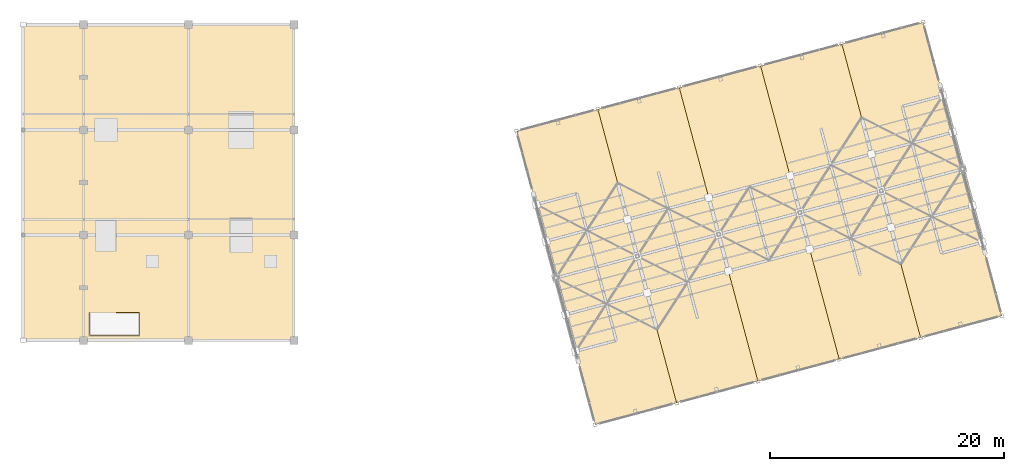
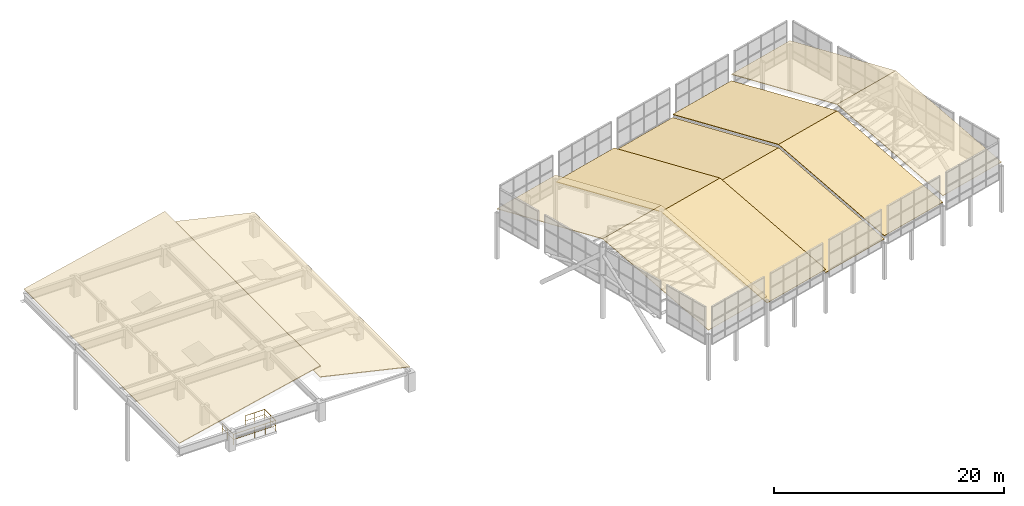
# One storey, part 28 of 28: 12 coverings, 1 railing.
"""IFC4 building model written with IfcOpenShell, lengths in metres."""

from ifc_helpers import new_model, si_unit, direction, frame, origin, origin_2d, place, context, subcontext, project, spatial, polyline, circle, outline, extrude, material, layer, layer_set, type_object, element, save


model = new_model("IFC4")

# Units and contexts
model_context = context("Model", 3, precision=1e-05, world=origin(), true_north=direction((0.0, 1.0)))
body_context = subcontext(model_context, "Body", "Model", "MODEL_VIEW")
ifc_project = project(units=[si_unit("LENGTHUNIT", "METRE"), si_unit("AREAUNIT", "SQUARE_METRE"), si_unit("VOLUMEUNIT", "CUBIC_METRE"), si_unit("PLANEANGLEUNIT", "RADIAN"), si_unit("MASSUNIT", "GRAM", prefix="KILO")], contexts=[model_context])

# Site, building, storey
site_placement = place(None, origin())
site = spatial("IfcSite", under=ifc_project, at=site_placement, CompositionType="ELEMENT")
building_placement = place(site_placement, origin())
building = spatial("IfcBuilding", under=site, at=building_placement, Name="Ventoquebrada Cableway Terminal", CompositionType="ELEMENT")
storey_placement = place(building_placement, frame((0.0, 0.0, 23.39990234375)))
storey = spatial("IfcBuildingStorey", under=building, at=storey_placement, Name="RF", CompositionType="ELEMENT", Elevation=23.39990234375)

# Coverings
ifc_material_1 = material(Name="Standing-seam zinc-titanium roofing")
ifc_layer = layer(ifc_material_1, 0.06005859375)
ifc_layer_set = layer_set([ifc_layer], Name="Standing-seam zinc-titanium roofing")
covering_type = type_object("IfcCoveringType", Name="COV-RF01", PredefinedType="ROOFING", material=ifc_layer_set)
covering_1_placement = place(storey_placement, frame((51.974365234375, 69.7978515625, 1.6318359375), z_axis=(0.062620506761, -0.233651996938, 0.970301714138), x_axis=(0.96591172503, 0.258871665986, 0.0)))
element("IfcCovering", 1, at=covering_1_placement, inside=storey, type_object=covering_type, Name="Standing-seam gridshell roofing RF-GS-01-1", PredefinedType="ROOFING", context=body_context, shape_type="SweptSolid", body=[
    extrude(outline(polyline([(0.0, 0.0), (7.20053183409326, 2.220446049250313e-16), (7.200933192058639, 13.3980786407222), (0.00040135796537963433, 13.3980786407222), (0.0, 0.0)])), origin(), (0.0, 0.0, 1.0), 0.06005859375),
])
covering_2_placement = place(storey_placement, frame((48.61669921875, 82.3271484375, 4.872802734375), z_axis=(-0.062627133853, 0.233656217601, 0.970300270062), x_axis=(0.965911392582, 0.258872906371, 5.150913e-06)))
element("IfcCovering", 2, at=covering_2_placement, inside=storey, type_object=covering_type, Name="Standing-seam gridshell roofing RF-GS-01-2", PredefinedType="ROOFING", context=body_context, shape_type="SweptSolid", body=[
    extrude(outline(polyline([(0.0, 0.0), (7.2005318339918, 0.0), (7.200634172777527, 13.397911149965832), (0.001281429841124957, 13.397604529790756), (0.0, 0.0)])), origin(), (0.0, 0.0, 1.0), 0.06005859375),
])
covering_3_placement = place(storey_placement, frame((58.929443359375, 71.661865234375, 0.940673828125), z_axis=(0.062596620047, -0.233660689562, 0.970301162172), x_axis=(0.965934542987, 0.258786511718, 4.119545e-06)))
element("IfcCovering", 3, at=covering_3_placement, inside=storey, type_object=covering_type, Name="Standing-seam gridshell roofing RF-GS-02-1", PredefinedType="ROOFING", context=body_context, shape_type="SweptSolid", body=[
    extrude(outline(polyline([(0.0, 0.0), (7.199099965533204, 0.0), (7.199311894945746, 13.397833410120429), (-0.0007313660395942995, 13.398078626737274), (0.0, 0.0)])), origin(), (0.0, 0.0, 1.0), 0.06005859375),
])
covering_4_placement = place(storey_placement, frame((55.57177734375, 84.191162109375, 4.181640625), z_axis=(-0.062591847683, 0.233663381059, 0.970300821888), x_axis=(0.965943426508, 0.258753351253, -1.029673e-06)))
element("IfcCovering", 4, at=covering_4_placement, inside=storey, type_object=covering_type, Name="Standing-seam gridshell roofing RF-GS-02-2", PredefinedType="ROOFING", context=body_context, shape_type="SweptSolid", body=[
    extrude(outline(polyline([(0.0, 0.0), (7.200043265221912, -2.220446049250313e-16), (7.198792419605277, 13.397849771825229), (-0.0014866716484983745, 13.3979110679263), (0.0, 0.0)])), origin(), (0.0, 0.0, 1.0), 0.06005859375),
])
covering_5_placement = place(storey_placement, frame((65.88330078125, 73.52490234375, 0.5947265625), z_axis=(0.062621890363, -0.233656057224, 0.970300647104), x_axis=(0.965911707161, 0.258871732658, -2.76869e-07)))
element("IfcCovering", 5, at=covering_5_placement, inside=storey, type_object=covering_type, Name="Standing-seam gridshell roofing RF-GS-03-1", PredefinedType="ROOFING", context=body_context, shape_type="SweptSolid", body=[
    extrude(outline(polyline([(0.0, 0.0), (7.200531834092966, -6.661338147750939e-16), (7.200869990968603, 13.39784982595029), (0.0013446311337677068, 13.39783334435648), (0.0, 0.0)])), origin(), (0.0, 0.0, 1.0), 0.06005859375),
])
covering_6_placement = place(storey_placement, frame((62.526611328125, 86.05419921875, 3.835693359375), z_axis=(-0.062621890363, 0.233656057224, 0.970300647104), x_axis=(0.965911132134, 0.25887387821, -2.76908e-07)))
element("IfcCovering", 6, at=covering_6_placement, inside=storey, type_object=covering_type, Name="Standing-seam gridshell roofing RF-GS-03-2", PredefinedType="ROOFING", context=body_context, shape_type="SweptSolid", body=[
    extrude(outline(polyline([(0.0, 0.0), (7.199525359853701, -4.440892098500626e-16), (7.200900662127032, 13.397833341243159), (0.0003688280529341973, 13.397849825141051), (0.0, 0.0)])), origin(), (0.0, 0.0, 1.0), 0.06005859375),
])
covering_7_placement = place(storey_placement, frame((72.83837890625, 75.388916015625, 0.940673828125), z_axis=(0.062591847683, -0.233663381059, 0.970300821888), x_axis=(0.965945563826, 0.25874537237, -1.029639e-06)))
element("IfcCovering", 7, at=covering_7_placement, inside=storey, type_object=covering_type, Name="Standing-seam gridshell roofing RF-GS-04-1", PredefinedType="ROOFING", context=body_context, shape_type="SweptSolid", body=[
    extrude(outline(polyline([(0.0, 0.0), (7.200279091514681, 0.0), (7.198678363216417, 13.397911054784757), (-0.0013649017445958491, 13.397849760691276), (0.0, 0.0)])), origin(), (0.0, 0.0, 1.0), 0.06005859375),
])
covering_8_placement = place(storey_placement, frame((69.480712890625, 87.91796875, 4.181640625), z_axis=(-0.062596620047, 0.233660689562, 0.970301162172), x_axis=(0.965943094367, 0.258754591125, 4.119006e-06)))
element("IfcCovering", 8, at=covering_8_placement, inside=storey, type_object=covering_type, Name="Standing-seam gridshell roofing RF-GS-04-2", PredefinedType="ROOFING", context=body_context, shape_type="SweptSolid", body=[
    extrude(outline(polyline([(0.0, 0.0), (7.200043265161091, -2.220446049250313e-16), (7.19885559193152, 13.398078594058283), (-0.00024436942647917563, 13.397833409568012), (0.0, 0.0)])), origin(), (0.0, 0.0, 1.0), 0.06005859375),
])
covering_9_placement = place(storey_placement, frame((79.79345703125, 77.251953125, 1.6318359375), z_axis=(0.062627133853, -0.233656217601, 0.970300270062), x_axis=(0.965900693821, 0.25891282249, 5.151756e-06)))
element("IfcCovering", 9, at=covering_9_placement, inside=storey, type_object=covering_type, Name="Standing-seam gridshell roofing RF-GS-05-1", PredefinedType="ROOFING", context=body_context, shape_type="SweptSolid", body=[
    extrude(outline(polyline([(0.0, 0.0), (7.199352749465874, 2.220446049250313e-16), (7.201204782801658, 13.397604463063715), (0.0006729553403977827, 13.397911133455956), (0.0, 0.0)])), origin(), (0.0, 0.0, 1.0), 0.06005859375),
])
covering_10_placement = place(storey_placement, frame((76.435546875, 89.781005859375, 4.872802734375), z_axis=(-0.062620506761, 0.233651996938, 0.970301714138), x_axis=(0.96591172503, 0.258871665986, 0.0)))
element("IfcCovering", 10, at=covering_10_placement, inside=storey, type_object=covering_type, Name="Standing-seam gridshell roofing RF-GS-05-2", PredefinedType="ROOFING", context=body_context, shape_type="SweptSolid", body=[
    extrude(outline(polyline([(0.0, 0.0), (7.20053183409326, 2.220446049250313e-16), (7.200933192058639, 13.3980786407222), (0.00040135796537963433, 13.3980786407222), (0.0, 0.0)])), origin(), (0.0, 0.0, 1.0), 0.06005859375),
])
covering_11_placement = place(storey_placement, frame((3.0634765625, 77.0, 2.381591796875), z_axis=(-0.224956503058, 0.0, 0.974368806834), x_axis=(0.974368806834, 0.0, 0.224956503058)))
element("IfcCovering", 11, at=covering_11_placement, inside=storey, type_object=covering_type, Name="Standing-seam roof covering SL-107", PredefinedType="ROOFING", context=body_context, shape_type="SweptSolid", body=[
    extrude(outline(polyline([(0.0, 0.0), (14.522121648908193, 0.0), (14.522121648908193, 27.0), (0.0, 27.0), (0.0, 0.0)])), origin(), (0.0, 0.0, 1.0), 0.06005859375),
])
covering_12_placement = place(storey_placement, frame((17.1865234375, 77.0, 4.45947265625), z_axis=(0.224957955227, 0.0, 0.974368471565), x_axis=(0.974368471565, 0.0, -0.224957955227)))
element("IfcCovering", 12, at=covering_12_placement, inside=storey, type_object=covering_type, Name="Standing-seam roof covering SL-108", PredefinedType="ROOFING", context=body_context, shape_type="SweptSolid", body=[
    extrude(outline(polyline([(0.0, 0.0), (9.236752073416119, 0.0), (9.236752073416119, 27.0), (0.0, 27.0), (0.0, 0.0)])), origin(), (0.0, 0.0, 1.0), 0.06005859375),
])

# Railing
ifc_material_2 = material(Name="Brushed stainless steel Grade 316", Category="steel")
railing_type = type_object("IfcRailingType", Name="RL-GD02", PredefinedType="BALUSTRADE", material=ifc_material_2)
railing_placement = place(storey_placement, frame((8.72998046875, 79.35009765625, 0.0)))
element("IfcRailing", 13, at=railing_placement, inside=storey, type_object=railing_type, Name="Roof stair well guardrail GR-RF01", PredefinedType="BALUSTRADE", context=body_context, shape_type="SweptSolid", body=[
    extrude(circle(Radius=0.02392578125, at=origin_2d()), frame((0.0, -0.001953125, 1.1259765625), z_axis=(0.0, -1.0, 0.0), x_axis=(1.0, 0.0, 0.0)), (0.0, 0.0, 1.0), 1.916259765625),
    extrude(circle(Radius=0.01611328125, at=origin_2d()), frame((0.0, -0.001953125, 0.574951171875), z_axis=(0.0, -1.0, 0.0), x_axis=(1.0, 0.0, 0.0)), (0.0, 0.0, 1.0), 1.916259765625),
    extrude(circle(Radius=0.02392578125, at=origin_2d()), frame((0.001953125, -1.920166015625, 1.1259765625), z_axis=(1.0, 0.0, 0.0), x_axis=(0.0, 1.0, 0.0)), (0.0, 0.0, 1.0), 4.236083984375),
    extrude(circle(Radius=0.01611328125, at=origin_2d()), frame((0.001953125, -1.920166015625, 0.574951171875), z_axis=(1.0, 0.0, 0.0), x_axis=(0.0, 1.0, 0.0)), (0.0, 0.0, 1.0), 4.236083984375),
    extrude(circle(Radius=0.02392578125, at=origin_2d()), frame((4.239990234375, -1.918212890625, 1.1259765625), z_axis=(0.0, 1.0, 0.0), x_axis=(-1.0, 0.0, 0.0)), (0.0, 0.0, 1.0), 1.916259765625),
    extrude(circle(Radius=0.01611328125, at=origin_2d()), frame((4.239990234375, -1.918212890625, 0.574951171875), z_axis=(0.0, 1.0, 0.0), x_axis=(-1.0, 0.0, 0.0)), (0.0, 0.0, 1.0), 1.916259765625),
    extrude(circle(Radius=0.02392578125, at=origin_2d()), frame((4.238037109375, 0.0, 1.1259765625), z_axis=(-1.0, 0.0, 0.0), x_axis=(0.0, -1.0, 0.0)), (0.0, 0.0, 1.0), 1.966064453125),
    extrude(circle(Radius=0.01611328125, at=origin_2d()), frame((4.238037109375, 0.0, 0.574951171875), z_axis=(-1.0, 0.0, 0.0), x_axis=(0.0, -1.0, 0.0)), (0.0, 0.0, 1.0), 1.966064453125),
    extrude(circle(Radius=0.02099609375, at=origin_2d()), origin(), (0.0, 0.0, 1.0), 1.101806640625),
    extrude(circle(Radius=0.02099609375, at=origin_2d()), frame((0.0, -0.9599609375, 0.0)), (0.0, 0.0, 1.0), 1.101806640625),
    extrude(circle(Radius=0.02099609375, at=origin_2d()), frame((0.0, -1.920166015625, 0.0)), (0.0, 0.0, 1.0), 1.101806640625),
    extrude(circle(Radius=0.02099609375, at=origin_2d()), frame((1.06005859375, -1.920166015625, 0.0)), (0.0, 0.0, 1.0), 1.101806640625),
    extrude(circle(Radius=0.02099609375, at=origin_2d()), frame((2.1201171875, -1.920166015625, 0.0)), (0.0, 0.0, 1.0), 1.101806640625),
    extrude(circle(Radius=0.02099609375, at=origin_2d()), frame((3.179931640625, -1.920166015625, 0.0)), (0.0, 0.0, 1.0), 1.101806640625),
    extrude(circle(Radius=0.02099609375, at=origin_2d()), frame((4.239990234375, -1.920166015625, 0.0)), (0.0, 0.0, 1.0), 1.101806640625),
    extrude(circle(Radius=0.02099609375, at=origin_2d()), frame((4.239990234375, -0.9599609375, 0.0)), (0.0, 0.0, 1.0), 1.101806640625),
    extrude(circle(Radius=0.02099609375, at=origin_2d()), frame((4.239990234375, 0.0, 0.0)), (0.0, 0.0, 1.0), 1.101806640625),
    extrude(circle(Radius=0.02099609375, at=origin_2d()), frame((3.2548828125, 0.0, 0.0)), (0.0, 0.0, 1.0), 1.101806640625),
    extrude(circle(Radius=0.02099609375, at=origin_2d()), frame((2.27001953125, 0.0, 0.0)), (0.0, 0.0, 1.0), 1.101806640625),
])

save(model, "model.ifc")
